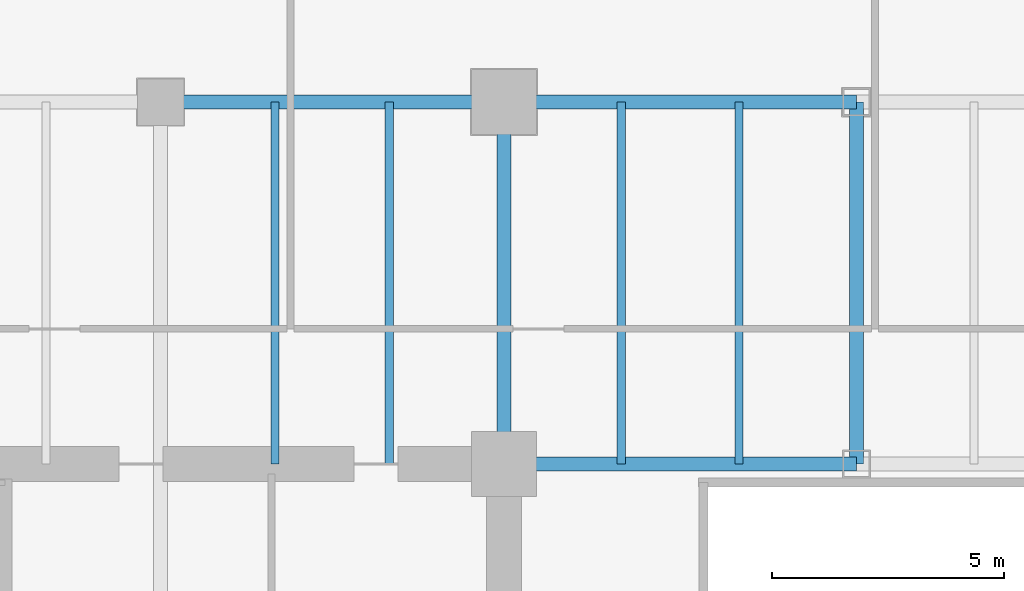
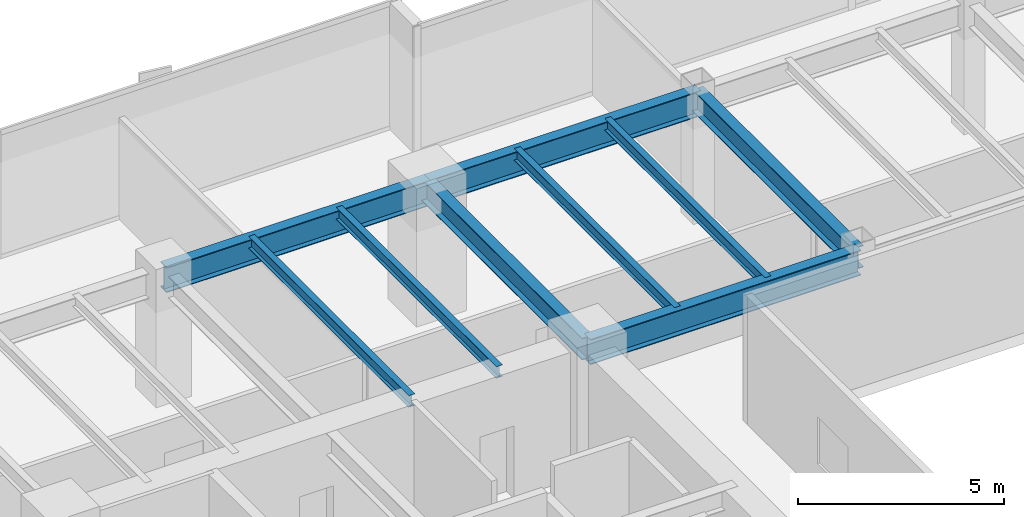
# One storey, part 13 of 37: 9 beams.
"""IFC4 building model written with IfcOpenShell, lengths in metres."""

import ifcopenshell
import ifcopenshell.guid

model = None  # the IFC model being written
_history = None  # IfcOwnerHistory: only IFC2X3 demands one
_inside = {}  # id of a spatial element -> (the spatial element, [elements in it])
_under = {}  # id of a project, library or spatial element -> (it, [spatial elements below it])
_declared = {}  # id of a project -> (the project, [libraries it declares])
_typed = {}  # id of a type object -> (the type object, [elements of that type])
_made_of = {}  # id of a material, layer set ... -> (it, [elements and type objects made of it])


def new_model(schema):
    """Start an empty IFC model of exactly this schema.

    Asked for "IFC4X3", IfcOpenShell would pick the latest addendum, in which some entities
    have other attributes; the version numbers below select the first issue.
    IFC2X3 requires an IfcOwnerHistory on every rooted entity: one is made here for all.
    """
    global model, _history
    if schema == "IFC4X3":
        model = ifcopenshell.file(schema_version=(4, 3, 0, 0))
    else:
        model = ifcopenshell.file(schema=schema)
    _inside.clear()
    _under.clear()
    _declared.clear()
    _typed.clear()
    _made_of.clear()
    _history = None
    if model.schema == "IFC2X3":
        org = make("IfcOrganization", Name="unknown")
        user = make(
            "IfcPersonAndOrganization",
            ThePerson=make("IfcPerson", FamilyName="unknown"),
            TheOrganization=org,
        )
        app = make(
            "IfcApplication",
            ApplicationDeveloper=org,
            Version="unknown",
            ApplicationFullName="unknown",
            ApplicationIdentifier="unknown",
        )
        _history = make(
            "IfcOwnerHistory",
            OwningUser=user,
            OwningApplication=app,
            ChangeAction="ADDED",
            CreationDate=0,
        )
    return model


def make(cls, **values):
    """One entity of the class cls with the attributes given. An attribute that is None is left unset."""
    return model.create_entity(
        cls, **{name: value for name, value in values.items() if value is not None}
    )


def rooted(cls, **values):
    """An entity with a GlobalId (a new one), such as an element, a storey or a relation."""
    return make(cls, GlobalId=ifcopenshell.guid.new(), OwnerHistory=_history, **values)


def si_unit(unit_type, name, prefix=None):
    """IfcSIUnit, for example si_unit("LENGTHUNIT", "METRE", prefix="MILLI")."""
    return make("IfcSIUnit", UnitType=unit_type, Prefix=prefix, Name=name)


def assignment(units):
    """IfcUnitAssignment: the units of a project."""
    return None if units is None else make("IfcUnitAssignment", Units=units)


def point(xyz):
    """IfcCartesianPoint."""
    return None if xyz is None else make("IfcCartesianPoint", Coordinates=xyz)


def direction(xyz):
    """IfcDirection."""
    return None if xyz is None else make("IfcDirection", DirectionRatios=xyz)


def frame(location, z_axis=None, x_axis=None):
    """IfcAxis2Placement3D, a coordinate frame: its origin and axes. An axis left out is left unset."""
    return make(
        "IfcAxis2Placement3D",
        Location=point(location),
        Axis=direction(z_axis),
        RefDirection=direction(x_axis),
    )


def frame_2d(location, x_axis=None):
    """IfcAxis2Placement2D, a coordinate frame in the plane: its origin and x axis."""
    return make(
        "IfcAxis2Placement2D", Location=point(location), RefDirection=direction(x_axis)
    )


def origin():
    """The frame at (0, 0, 0) with its axes left unset."""
    return frame((0.0, 0.0, 0.0))


def origin_2d():
    """The frame at (0, 0) in the plane with its x axis left unset."""
    return frame_2d((0.0, 0.0))


def place(relative_to, where):
    """IfcLocalPlacement: puts the frame where relative to a parent placement (None: the world)."""
    return make(
        "IfcLocalPlacement", PlacementRelTo=relative_to, RelativePlacement=where
    )


def context(
    kind, dimensions, precision=None, world=None, true_north=None, identifier=None
):
    """IfcGeometricRepresentationContext, for example the 3D "Model" context."""
    return make(
        "IfcGeometricRepresentationContext",
        ContextIdentifier=identifier,
        ContextType=kind,
        CoordinateSpaceDimension=dimensions,
        Precision=precision,
        WorldCoordinateSystem=world,
        TrueNorth=true_north,
    )


def subcontext(parent, identifier, kind, view, scale=None):
    """IfcGeometricRepresentationSubContext, for example "Body" below "Model"."""
    return make(
        "IfcGeometricRepresentationSubContext",
        ContextIdentifier=identifier,
        ContextType=kind,
        ParentContext=parent,
        TargetScale=scale,
        TargetView=view,
    )


def project(units=None, contexts=None):
    """IfcProject with its units and contexts."""
    return rooted(
        "IfcProject",
        Name="project",
        RepresentationContexts=contexts,
        UnitsInContext=assignment(units),
    )


def spatial(cls, under=None, at=None, **own):
    """A site, building, storey or space (cls), placed at a placement, below another one or the project."""
    s = rooted(cls, ObjectPlacement=at, **own)
    if under is not None:
        _under.setdefault(under.id(), (under, []))[1].append(s)
    return s


def profile(cls, at=None, kind="AREA", **sizes):
    """A parametric profile (cls). Its sizes go by their IFC names, for example OverallWidth=200.0."""
    return make(cls, ProfileType=kind, Position=at, **sizes)


def i_section(**sizes):
    """IfcIShapeProfileDef."""
    return profile("IfcIShapeProfileDef", **sizes)


def extrude(swept, where, along, depth):
    """IfcExtrudedAreaSolid: the profile swept, set in the frame where, extruded along a direction by depth."""
    return make(
        "IfcExtrudedAreaSolid",
        SweptArea=swept,
        Position=where,
        ExtrudedDirection=direction(along),
        Depth=depth,
    )


def shape(context_of_items, identifier, shape_type, items):
    """IfcShapeRepresentation: the items that make up one representation, for example the "Body"."""
    return make(
        "IfcShapeRepresentation",
        ContextOfItems=context_of_items,
        RepresentationIdentifier=identifier,
        RepresentationType=shape_type,
        Items=items,
    )


def source(mapping_origin, context_of_items, identifier, shape_type, items):
    """IfcRepresentationMap: a shape defined once, which mapped items show again and again."""
    return make(
        "IfcRepresentationMap",
        MappingOrigin=mapping_origin,
        MappedRepresentation=shape(context_of_items, identifier, shape_type, items),
    )


def transform(
    local_origin,
    x_axis=None,
    y_axis=None,
    z_axis=None,
    scale=None,
    scale2=None,
    scale3=None,
    uniform=True,
):
    """IfcCartesianTransformationOperator3D, or its non-uniform kind. x_axis, y_axis, z_axis: its Axis1, 2, 3."""
    if uniform:
        return make(
            "IfcCartesianTransformationOperator3D",
            Axis1=direction(x_axis),
            Axis2=direction(y_axis),
            LocalOrigin=point(local_origin),
            Scale=scale,
            Axis3=direction(z_axis),
        )
    return make(
        "IfcCartesianTransformationOperator3DnonUniform",
        Axis1=direction(x_axis),
        Axis2=direction(y_axis),
        LocalOrigin=point(local_origin),
        Scale=scale,
        Axis3=direction(z_axis),
        Scale2=scale2,
        Scale3=scale3,
    )


def mapped(mapping_source, mapping_target):
    """IfcMappedItem: shows the shape of a source again, moved by a transform."""
    return make(
        "IfcMappedItem", MappingSource=mapping_source, MappingTarget=mapping_target
    )


def material(Name=None, Category=None):
    """IfcMaterial."""
    return make("IfcMaterial", Name=Name, Category=Category)


def material_profile(
    of_material, cross_section, Name=None, Category=None, Priority=None
):
    """IfcMaterialProfile: a cross section and its material."""
    return make(
        "IfcMaterialProfile",
        Name=Name,
        Material=of_material,
        Profile=cross_section,
        Priority=Priority,
        Category=Category,
    )


def profile_set(profiles, Name=None, composite=None):
    """IfcMaterialProfileSet."""
    return make(
        "IfcMaterialProfileSet",
        Name=Name,
        MaterialProfiles=profiles,
        CompositeProfile=composite,
    )


def made_of(thing, what):
    """Note that an element or type object is made of a material, layer set ...; save() writes the relation."""
    if what is not None:
        _made_of.setdefault(what.id(), (what, []))[1].append(thing)
    return thing


def type_object(cls, material=None, **own):
    """A type object (cls), such as IfcWallType, which elements share."""
    return made_of(rooted(cls, **own), material)


def type_shapes(of_type, sources):
    """Give a type object the sources (RepresentationMaps) that its elements show as mapped items."""
    of_type.RepresentationMaps = sources


def element(
    cls,
    number,
    at=None,
    inside=None,
    cuts=None,
    type_object=None,
    material=None,
    context=None,
    identifier="Body",
    shape_type=None,
    held_by="IfcProductDefinitionShape",
    body=None,
    shapes=None,
    **own,
):
    """One element of the class cls, such as IfcWall. Its Tag is "e" and its number.

    at: its placement. inside: the storey or other place that contains it. cuts: it is an
    opening in that element (IfcRelVoidsElement). A single representation is given by context,
    identifier, shape_type and body (its items); several are given by shapes. held_by: the class
    of the entity that holds the representations. save() writes the other relations.
    """
    e = rooted(cls, Tag="e%d" % number, ObjectPlacement=at, **own)
    if body is not None:
        shapes = [shape(context, identifier, shape_type, body)]
    if shapes is not None:
        e.Representation = make(held_by, Representations=shapes)
    if inside is not None:
        _inside.setdefault(inside.id(), (inside, []))[1].append(e)
    if cuts is not None:
        rooted(
            "IfcRelVoidsElement", RelatingBuildingElement=cuts, RelatedOpeningElement=e
        )
    if type_object is not None:
        _typed.setdefault(type_object.id(), (type_object, []))[1].append(e)
    return made_of(e, material)


def aggregate(whole, parts):
    """IfcRelAggregates: a whole, such as a stair, and the parts it consists of."""
    return rooted("IfcRelAggregates", RelatingObject=whole, RelatedObjects=parts)


def save(model, path):
    """Write the relations noted so far, then the file.

    IfcRelAggregates (storeys below a building ...), IfcRelContainedInSpatialStructure (elements
    in a storey), IfcRelDefinesByType, IfcRelAssociatesMaterial and IfcRelDeclares: one each for
    every whole, place, type object, material and project.
    """
    for whole, parts in _under.values():
        aggregate(whole, parts)
    for where, things in _inside.values():
        rooted(
            "IfcRelContainedInSpatialStructure",
            RelatedElements=things,
            RelatingStructure=where,
        )
    for kind, things in _typed.values():
        rooted("IfcRelDefinesByType", RelatedObjects=things, RelatingType=kind)
    for what, things in _made_of.values():
        rooted("IfcRelAssociatesMaterial", RelatedObjects=things, RelatingMaterial=what)
    for by, libraries in _declared.values():
        rooted("IfcRelDeclares", RelatingContext=by, RelatedDefinitions=libraries)
    model.write(path)


model = new_model("IFC4")

# Units and contexts
model_context = context("Model", 3, precision=1e-05, world=origin(), true_north=direction((0.0, 1.0)))
body_context = subcontext(model_context, "Body", "Model", "MODEL_VIEW")
ifc_project = project(units=[si_unit("LENGTHUNIT", "METRE"), si_unit("AREAUNIT", "SQUARE_METRE"), si_unit("VOLUMEUNIT", "CUBIC_METRE"), si_unit("PLANEANGLEUNIT", "RADIAN"), si_unit("MASSUNIT", "GRAM", prefix="KILO")], contexts=[model_context])

# Site, building, storey
site_placement = place(None, origin())
site = spatial("IfcSite", under=ifc_project, at=site_placement, CompositionType="ELEMENT")
building_placement = place(site_placement, origin())
building = spatial("IfcBuilding", under=site, at=building_placement, Name="Haelvirn Gate Laboratories", CompositionType="ELEMENT")
storey_placement = place(building_placement, frame((0.0, 0.0, 74.39990234375)))
storey = spatial("IfcBuildingStorey", under=building, at=storey_placement, Name="L18", CompositionType="ELEMENT", Elevation=74.39990234375)

# Beams
ifc_material = material(Name="Steel SM355", Category="steel")
ifc_material_profile_1 = material_profile(ifc_material, i_section(OverallWidth=0.300048828125, OverallDepth=0.75, WebThickness=0.013916015625, FlangeThickness=0.02392578125, at=origin_2d()), Name="H-750x300x14x24")
ifc_profile_set_1 = profile_set([ifc_material_profile_1], Name="Steel SM355")
beam_type_1 = type_object("IfcBeamType", Name="BM-G-750", PredefinedType="BEAM", material=ifc_profile_set_1)
shared_shape_1 = source(origin(), body_context, "Body", "SweptSolid", [
    extrude(i_section(OverallWidth=0.300048828125, OverallDepth=0.75, WebThickness=0.013916015625, FlangeThickness=0.02392578125, at=origin_2d()), origin(), (0.0, 0.0, 1.0), 7.39990234375),
])
beam_placement = place(storey_placement, frame((14.800048828125, 41.60009765625, 3.405029296875), z_axis=(1.0, 0.0, 0.0), x_axis=(0.0, 1.0, 0.0)))
element("IfcBeam", 1, at=beam_placement, inside=storey, type_object=beam_type_1, Name="L18 Primary Girder Y41.6 (14.8-22.2)", PredefinedType="BEAM", context=body_context, shape_type="MappedRepresentation", body=[
    mapped(shared_shape_1, transform((0.0, 0.0, 0.0), scale=1.0)),
])
shared_shape_2 = source(origin(), body_context, "Body", "SweptSolid", [
    extrude(i_section(OverallWidth=0.300048828125, OverallDepth=0.75, WebThickness=0.013916015625, FlangeThickness=0.02392578125, at=origin_2d()), origin(), (0.0, 0.0, 1.0), 7.60009765625),
])
type_shapes(beam_type_1, [shared_shape_1, shared_shape_2])
for number, where, z_axis, x_axis, name in (
    (2, (22.199951171875, 33.800048828125, 3.405029296875), (1.0, 0.0, 0.0), (0.0, 1.0, 0.0), "L18 Primary Girder Y33.8 (22.2-29.8)"),
    (3, (22.199951171875, 41.60009765625, 3.405029296875), (1.0, 0.0, 0.0), (0.0, 1.0, 0.0), "L18 Primary Girder Y41.6 (22.2-29.8)"),
):
    element("IfcBeam", number, at=place(storey_placement, frame(where, z_axis=z_axis, x_axis=x_axis)), inside=storey, type_object=beam_type_1, Name=name, PredefinedType="BEAM", context=body_context, shape_type="MappedRepresentation", body=[
        mapped(shared_shape_2, transform((0.0, 0.0, 0.0), scale=1.0)),
    ])
ifc_material_profile_2 = material_profile(ifc_material, i_section(OverallWidth=0.175048828125, OverallDepth=0.35009765625, WebThickness=0.007080078125, FlangeThickness=0.010986328125, at=origin_2d()), Name="H-350x175x7x11")
ifc_profile_set_2 = profile_set([ifc_material_profile_2], Name="Steel SM355")
beam_type_2 = type_object("IfcBeamType", Name="BM-J-350", PredefinedType="JOIST", material=ifc_profile_set_2)
shared_shape_3 = source(origin(), body_context, "Body", "SweptSolid", [
    extrude(i_section(OverallWidth=0.175048828125, OverallDepth=0.35009765625, WebThickness=0.007080078125, FlangeThickness=0.010986328125, at=origin_2d()), origin(), (0.0, 0.0, 1.0), 7.800048828125),
])
type_shapes(beam_type_2, [shared_shape_3])
for number, where, z_axis, x_axis, name in (
    (4, (17.27001953125, 33.800048828125, 3.60498046875), (0.0, 1.0, 0.0), (-1.0, 0.0, 0.0), "L18 Composite Lab Joist North X17.27"),
    (5, (19.72998046875, 33.800048828125, 3.60498046875), (0.0, 1.0, 0.0), (-1.0, 0.0, 0.0), "L18 Composite Lab Joist North X19.73"),
    (6, (24.72998046875, 33.800048828125, 3.60498046875), (0.0, 1.0, 0.0), (-1.0, 0.0, 0.0), "L18 Composite Lab Joist North X24.73"),
    (7, (27.27001953125, 33.800048828125, 3.60498046875), (0.0, 1.0, 0.0), (-1.0, 0.0, 0.0), "L18 Composite Lab Joist North X27.27"),
):
    element("IfcBeam", number, at=place(storey_placement, frame(where, z_axis=z_axis, x_axis=x_axis)), inside=storey, type_object=beam_type_2, Name=name, PredefinedType="JOIST", context=body_context, shape_type="MappedRepresentation", body=[
        mapped(shared_shape_3, transform((0.0, 0.0, 0.0), scale=1.0)),
    ])
ifc_material_profile_3 = material_profile(ifc_material, i_section(OverallWidth=0.300048828125, OverallDepth=0.64990234375, WebThickness=0.012939453125, FlangeThickness=0.02197265625, at=origin_2d()), Name="H-650x300x13x22")
ifc_profile_set_3 = profile_set([ifc_material_profile_3], Name="Steel SM355")
beam_type_3 = type_object("IfcBeamType", Name="BM-G-650", PredefinedType="BEAM", material=ifc_profile_set_3)
shared_shape_4 = source(origin(), body_context, "Body", "SweptSolid", [
    extrude(i_section(OverallWidth=0.300048828125, OverallDepth=0.64990234375, WebThickness=0.012939453125, FlangeThickness=0.02197265625, at=origin_2d()), origin(), (0.0, 0.0, 1.0), 7.800048828125),
])
type_shapes(beam_type_3, [shared_shape_4])
for number, where, z_axis, x_axis, name in (
    (8, (22.199951171875, 33.800048828125, 3.455078125), (0.0, 1.0, 0.0), (-1.0, 0.0, 0.0), "L18 Frame Girder X22.2 (33.8-41.6)"),
    (9, (29.800048828125, 33.800048828125, 3.455078125), (0.0, 1.0, 0.0), (-1.0, 0.0, 0.0), "L18 Frame Girder X29.8 (33.8-41.6)"),
):
    element("IfcBeam", number, at=place(storey_placement, frame(where, z_axis=z_axis, x_axis=x_axis)), inside=storey, type_object=beam_type_3, Name=name, PredefinedType="BEAM", context=body_context, shape_type="MappedRepresentation", body=[
        mapped(shared_shape_4, transform((0.0, 0.0, 0.0), scale=1.0)),
    ])

save(model, "model.ifc")
